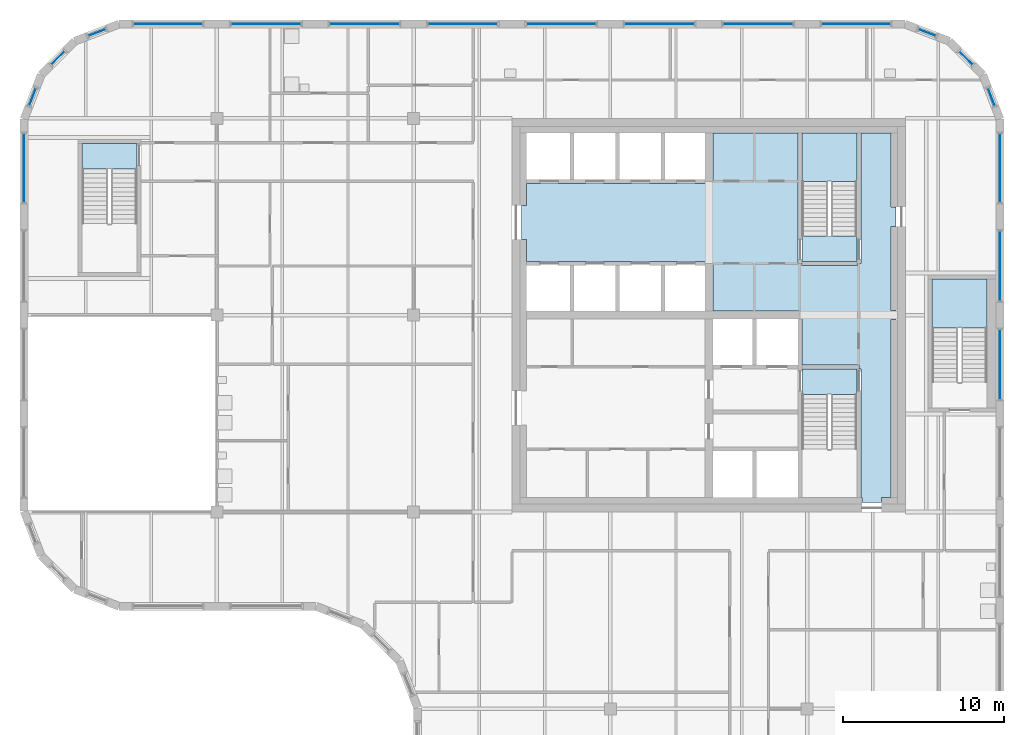
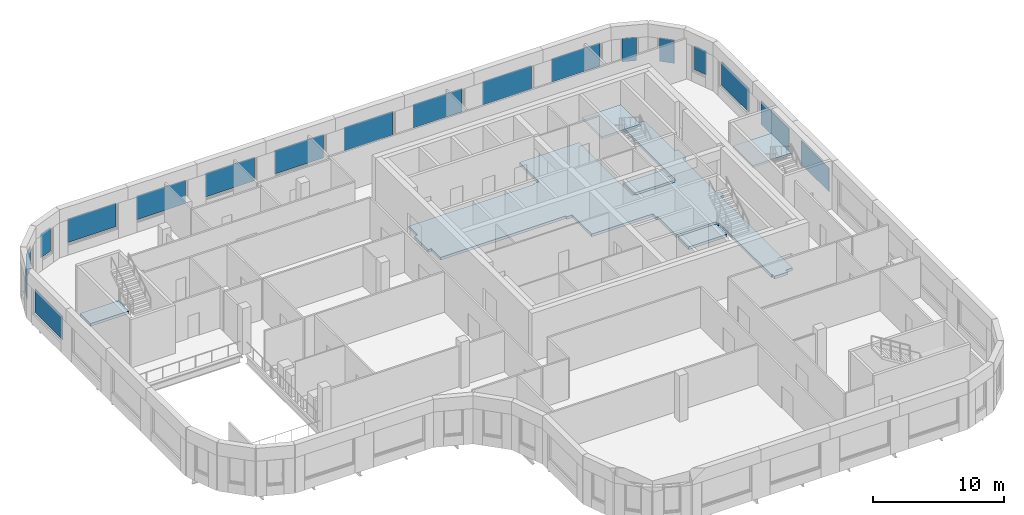
# One storey, part 9 of 21: 18 plates, 6 slabs, 20 elements without a shape of their own.
"""IFC4 building model written with IfcOpenShell, lengths in metres."""

from ifc_helpers import new_model, si_unit, direction, frame, origin, origin_2d, place, context, subcontext, project, spatial, polyline, rectangle, outline, extrude, material, layer, layer_set, type_object, element, aggregate, save


model = new_model("IFC4")

# Units and contexts
model_context = context("Model", 3, precision=1e-05, world=origin(), true_north=direction((0.0, 1.0)))
body_context = subcontext(model_context, "Body", "Model", "MODEL_VIEW")
ifc_project = project(units=[si_unit("LENGTHUNIT", "METRE"), si_unit("AREAUNIT", "SQUARE_METRE"), si_unit("VOLUMEUNIT", "CUBIC_METRE"), si_unit("PLANEANGLEUNIT", "RADIAN"), si_unit("MASSUNIT", "GRAM", prefix="KILO")], contexts=[model_context])

# Site, building, storey
site_placement = place(None, origin())
site = spatial("IfcSite", under=ifc_project, at=site_placement, CompositionType="ELEMENT")
building_placement = place(site_placement, origin())
building = spatial("IfcBuilding", under=site, at=building_placement, Name="Tessera Gate Towers", CompositionType="ELEMENT")
storey_placement = place(building_placement, frame((0.0, 0.0, 193.39990234375)))
storey = spatial("IfcBuildingStorey", under=building, at=storey_placement, Name="L48", CompositionType="ELEMENT", Elevation=193.39990234375)

# Slabs
ifc_material_1 = material(Name="Concrete C35/45", Category="concrete")
ifc_layer_1 = layer(ifc_material_1, 0.25)
ifc_layer_set_1 = layer_set([ifc_layer_1], Name="CORE FLOOR SLAB 250")
slab_type_1 = type_object("IfcSlabType", Name="CORE FLOOR SLAB 250", PredefinedType="FLOOR", material=ifc_layer_set_1)
slab_1_placement = place(storey_placement, frame((0.0, 0.0, -0.25)))
element("IfcSlab", 1, at=slab_1_placement, inside=storey, type_object=slab_type_1, Name="L48 core floor slab", PredefinedType="FLOOR", context=body_context, shape_type="SweptSolid", body=[
    extrude(outline(polyline([(42.449951171875, 44.89990234375), (42.449951171875, 44.77490234375), (31.39990234375, 44.77490234375), (31.39990234375, 43.39990234375), (31.10009765625, 43.39990234375), (31.10009765625, 41.300048828125), (31.39990234375, 41.300048828125), (31.39990234375, 39.925048828125), (42.449951171875, 39.925048828125), (42.449951171875, 39.800048828125), (42.949951171875, 39.800048828125), (42.949951171875, 36.85009765625), (48.35009765625, 36.85009765625), (48.35009765625, 36.35009765625), (48.47509765625, 36.35009765625), (48.47509765625, 33.52490234375), (52.0, 33.52490234375), (52.0, 33.27490234375), (52.125, 33.27490234375), (52.125, 25.300048828125), (52.199951171875, 25.300048828125), (52.199951171875, 25.0), (53.39990234375, 25.0), (53.39990234375, 25.300048828125), (54.0, 25.300048828125), (54.0, 36.320068359375), (54.300048828125, 36.320068359375), (54.300048828125, 36.8798828125), (54.0, 36.8798828125), (54.0, 42.10009765625), (54.300048828125, 42.10009765625), (54.300048828125, 43.300048828125), (54.0, 43.300048828125), (54.0, 47.89990234375), (52.125, 47.89990234375), (52.125, 39.800048828125), (51.875, 39.800048828125), (51.875, 39.675048828125), (48.47509765625, 39.675048828125), (48.47509765625, 39.800048828125), (48.22509765625, 39.800048828125), (48.22509765625, 47.89990234375), (42.949951171875, 47.89990234375), (42.949951171875, 44.89990234375), (42.449951171875, 44.89990234375)])), origin(), (0.0, 0.0, 1.0), 0.25),
])
slab_2_placement = place(storey_placement, frame((0.0, 0.0, -0.25)))
element("IfcSlab", 2, at=slab_2_placement, inside=storey, type_object=slab_type_1, Name="L48 core floor slab", PredefinedType="FLOOR", context=body_context, shape_type="SweptSolid", body=[
    extrude(outline(polyline([(51.875, 31.675048828125), (51.875, 33.27490234375), (48.47509765625, 33.27490234375), (48.47509765625, 31.675048828125), (51.875, 31.675048828125)])), origin(), (0.0, 0.0, 1.0), 0.25),
])
slab_3_placement = place(storey_placement, frame((0.0, 0.0, -0.25)))
element("IfcSlab", 3, at=slab_3_placement, inside=storey, type_object=slab_type_1, Name="L48 core floor slab", PredefinedType="FLOOR", context=body_context, shape_type="SweptSolid", body=[
    extrude(outline(polyline([(48.47509765625, 41.52490234375), (48.47509765625, 39.925048828125), (51.875, 39.925048828125), (51.875, 41.52490234375), (48.47509765625, 41.52490234375)])), origin(), (0.0, 0.0, 1.0), 0.25),
])
slab_4_placement = place(storey_placement, frame((0.0, 0.0, -0.25)))
element("IfcSlab", 4, at=slab_4_placement, inside=storey, type_object=slab_type_1, Name="L48 ST3 floor landing", PredefinedType="FLOOR", context=body_context, shape_type="SweptSolid", body=[
    extrude(outline(polyline([(3.85009765625, 47.25), (3.85009765625, 45.64990234375), (7.25, 45.64990234375), (7.25, 47.25), (3.85009765625, 47.25)])), origin(), (0.0, 0.0, 1.0), 0.25),
])

# Stair, slab
ifc_material_2 = material(Name="Concrete C40/50", Category="concrete")
stair_type_1 = type_object("IfcStairType", Name="EXIT STAIR ST2B 1600", PredefinedType="HALF_TURN_STAIR", material=ifc_material_2)
stair_1_placement = place(storey_placement, origin())
stair_1 = element("IfcStair", 5, at=stair_1_placement, inside=storey, type_object=stair_type_1, Name="L48 Protected Exit Stair ST2", PredefinedType="HALF_TURN_STAIR")
ifc_material_3 = material(Name="Concrete C40/50", Category="concrete")
ifc_layer_2 = layer(ifc_material_3, 0.199951171875)
ifc_layer_set_2 = layer_set([ifc_layer_2], Name="EXIT STAIR LANDING 200")
slab_type_2 = type_object("IfcSlabType", Name="EXIT STAIR LANDING 200", PredefinedType="LANDING", material=ifc_layer_set_2)
slab_5_placement = place(storey_placement, frame((0.0, 0.0, 2.050048828125)))
slab_5 = element("IfcSlab", 6, at=slab_5_placement, type_object=slab_type_2, Name="ST2 landing 1", PredefinedType="LANDING", context=body_context, shape_type="SweptSolid", body=[
    extrude(outline(polyline([(51.875, 44.885009765625), (51.875, 47.89990234375), (48.47509765625, 47.89990234375), (48.47509765625, 44.885009765625), (51.875, 44.885009765625)])), origin(), (0.0, 0.0, 1.0), 0.199951171875),
])
aggregate(stair_1, [slab_5])

ifc_material_4 = material(Name="Concrete C40/50", Category="concrete")
stair_type_2 = type_object("IfcStairType", Name="EXIT STAIR ST5B 1600", PredefinedType="HALF_TURN_STAIR", material=ifc_material_4)
stair_2_placement = place(storey_placement, origin())
stair_2 = element("IfcStair", 7, at=stair_2_placement, inside=storey, type_object=stair_type_2, Name="L48 East Exit Stair ST5", PredefinedType="HALF_TURN_STAIR")
slab_6_placement = place(storey_placement, frame((0.0, 0.0, 2.050048828125)))
slab_6 = element("IfcSlab", 8, at=slab_6_placement, type_object=slab_type_2, Name="ST5 landing 1", PredefinedType="LANDING", context=body_context, shape_type="SweptSolid", body=[
    extrude(outline(polyline([(59.949951171875, 35.81005859375), (59.949951171875, 38.85009765625), (56.550048828125, 38.85009765625), (56.550048828125, 35.81005859375), (59.949951171875, 35.81005859375)])), origin(), (0.0, 0.0, 1.0), 0.199951171875),
])
aggregate(stair_2, [slab_6])

# Curtain wall, plate
ifc_material_5 = material(Name="Aluminium frame", Category="aluminium")
curtain_wall_type = type_object("IfcCurtainWallType", Name="CW-S3 amenity floor glazing", PredefinedType="NOTDEFINED", material=ifc_material_5)
curtain_wall_1_placement = place(storey_placement, origin())
curtain_wall_1 = element("IfcCurtainWall", 9, at=curtain_wall_1_placement, inside=storey, type_object=curtain_wall_type, Name="Curtain wall amenity floor glazing 0056", PredefinedType="NOTDEFINED")
ifc_material_6 = material(Name="Low-e laminated glass", Category="glass")
ifc_layer_3 = layer(ifc_material_6, 0.035888671875)
ifc_layer_set_3 = layer_set([ifc_layer_3], Name="PN-S3 glass panel 36")
plate_type = type_object("IfcPlateType", Name="PN-S3 glass panel 36", PredefinedType="CURTAIN_PANEL", material=ifc_layer_set_3)
plate_1_placement = place(storey_placement, frame((60.75, 33.550048828125, 1.0), z_axis=(0.0, 0.0, 1.0), x_axis=(0.0, 1.0, 0.0)))
plate_1 = element("IfcPlate", 10, at=plate_1_placement, type_object=plate_type, Name="T1-CW3-0056 panel 1.1", PredefinedType="CURTAIN_PANEL", context=body_context, shape_type="SweptSolid", body=[
    extrude(rectangle(XDim=4.300048828125, YDim=0.035888671875, at=origin_2d()), origin(), (0.0, 0.0, 1.0), 2.199951171875),
])
aggregate(curtain_wall_1, [plate_1])

curtain_wall_2_placement = place(storey_placement, origin())
curtain_wall_2 = element("IfcCurtainWall", 11, at=curtain_wall_2_placement, inside=storey, type_object=curtain_wall_type, Name="Curtain wall amenity floor glazing 0057", PredefinedType="NOTDEFINED")
plate_2_placement = place(storey_placement, frame((60.75, 39.64990234375, 1.0), z_axis=(0.0, 0.0, 1.0), x_axis=(0.0, 1.0, 0.0)))
plate_2 = element("IfcPlate", 12, at=plate_2_placement, type_object=plate_type, Name="T1-CW3-0057 panel 1.1", PredefinedType="CURTAIN_PANEL", context=body_context, shape_type="SweptSolid", body=[
    extrude(rectangle(XDim=4.300048828125, YDim=0.035888671875, at=origin_2d()), origin(), (0.0, 0.0, 1.0), 2.199951171875),
])
aggregate(curtain_wall_2, [plate_2])

curtain_wall_3_placement = place(storey_placement, origin())
curtain_wall_3 = element("IfcCurtainWall", 13, at=curtain_wall_3_placement, inside=storey, type_object=curtain_wall_type, Name="Curtain wall amenity floor glazing 0058", PredefinedType="NOTDEFINED")
plate_3_placement = place(storey_placement, frame((60.75, 45.726806640625, 1.0), z_axis=(0.0, 0.0, 1.0), x_axis=(0.0, 1.0, 0.0)))
plate_3 = element("IfcPlate", 14, at=plate_3_placement, type_object=plate_type, Name="T1-CW3-0058 panel 1.1", PredefinedType="CURTAIN_PANEL", context=body_context, shape_type="SweptSolid", body=[
    extrude(rectangle(XDim=4.25341796875, YDim=0.035888671875, at=origin_2d()), origin(), (0.0, 0.0, 1.0), 2.199951171875),
])
aggregate(curtain_wall_3, [plate_3])

curtain_wall_4_placement = place(storey_placement, origin())
curtain_wall_4 = element("IfcCurtainWall", 15, at=curtain_wall_4_placement, inside=storey, type_object=curtain_wall_type, Name="Curtain wall amenity floor glazing 0059", PredefinedType="NOTDEFINED")
plate_4_placement = place(storey_placement, frame((60.218994140625, 50.1298828125, 1.0), z_axis=(0.0, 0.0, 1.0), x_axis=(-0.359904070394, 0.932989314041, 0.0)))
plate_4 = element("IfcPlate", 16, at=plate_4_placement, type_object=plate_type, Name="T1-CW3-0059 panel 1.1", PredefinedType="CURTAIN_PANEL", context=body_context, shape_type="SweptSolid", body=[
    extrude(rectangle(XDim=1.150634765625, YDim=0.035888671875, at=origin_2d()), origin(), (0.0, 0.0, 1.0), 2.199951171875),
])
aggregate(curtain_wall_4, [plate_4])

curtain_wall_5_placement = place(storey_placement, origin())
curtain_wall_5 = element("IfcCurtainWall", 17, at=curtain_wall_5_placement, inside=storey, type_object=curtain_wall_type, Name="Curtain wall amenity floor glazing 0060", PredefinedType="NOTDEFINED")
plate_5_placement = place(storey_placement, frame((58.647216796875, 52.547119140625, 1.0), z_axis=(0.0, 0.0, 1.0), x_axis=(-0.707106781187, 0.707106781187, 0.0)))
plate_5 = element("IfcPlate", 18, at=plate_5_placement, type_object=plate_type, Name="T1-CW3-0060 panel 1.1", PredefinedType="CURTAIN_PANEL", context=body_context, shape_type="SweptSolid", body=[
    extrude(rectangle(XDim=1.14404296875, YDim=0.035888671875, at=origin_2d()), origin(), (0.0, 0.0, 1.0), 2.199951171875),
])
aggregate(curtain_wall_5, [plate_5])

curtain_wall_6_placement = place(storey_placement, origin())
curtain_wall_6 = element("IfcCurtainWall", 19, at=curtain_wall_6_placement, inside=storey, type_object=curtain_wall_type, Name="Curtain wall amenity floor glazing 0061", PredefinedType="NOTDEFINED")
plate_6_placement = place(storey_placement, frame((56.22998046875, 54.119140625, 1.0), z_axis=(0.0, 0.0, 1.0), x_axis=(-0.932989314041, 0.359904070394, 0.0)))
plate_6 = element("IfcPlate", 20, at=plate_6_placement, type_object=plate_type, Name="T1-CW3-0061 panel 1.1", PredefinedType="CURTAIN_PANEL", context=body_context, shape_type="SweptSolid", body=[
    extrude(rectangle(XDim=1.150634765625, YDim=0.035888671875, at=origin_2d()), origin(), (0.0, 0.0, 1.0), 2.199951171875),
])
aggregate(curtain_wall_6, [plate_6])

curtain_wall_7_placement = place(storey_placement, origin())
curtain_wall_7 = element("IfcCurtainWall", 21, at=curtain_wall_7_placement, inside=storey, type_object=curtain_wall_type, Name="Curtain wall amenity floor glazing 0062", PredefinedType="NOTDEFINED")
plate_7_placement = place(storey_placement, frame((51.82666015625, 54.64990234375, 1.0), z_axis=(0.0, 0.0, 1.0), x_axis=(-1.0, 0.0, 0.0)))
plate_7 = element("IfcPlate", 22, at=plate_7_placement, type_object=plate_type, Name="T1-CW3-0062 panel 1.1", PredefinedType="CURTAIN_PANEL", context=body_context, shape_type="SweptSolid", body=[
    extrude(rectangle(XDim=4.25341796875, YDim=0.035888671875, at=origin_2d()), origin(), (0.0, 0.0, 1.0), 2.199951171875),
])
aggregate(curtain_wall_7, [plate_7])

curtain_wall_8_placement = place(storey_placement, origin())
curtain_wall_8 = element("IfcCurtainWall", 23, at=curtain_wall_8_placement, inside=storey, type_object=curtain_wall_type, Name="Curtain wall amenity floor glazing 0063", PredefinedType="NOTDEFINED")
plate_8_placement = place(storey_placement, frame((45.75, 54.64990234375, 1.0), z_axis=(0.0, 0.0, 1.0), x_axis=(-1.0, 0.0, 0.0)))
plate_8 = element("IfcPlate", 24, at=plate_8_placement, type_object=plate_type, Name="T1-CW3-0063 panel 1.1", PredefinedType="CURTAIN_PANEL", context=body_context, shape_type="SweptSolid", body=[
    extrude(rectangle(XDim=4.300048828125, YDim=0.035888671875, at=origin_2d()), origin(), (0.0, 0.0, 1.0), 2.199951171875),
])
aggregate(curtain_wall_8, [plate_8])

curtain_wall_9_placement = place(storey_placement, origin())
curtain_wall_9 = element("IfcCurtainWall", 25, at=curtain_wall_9_placement, inside=storey, type_object=curtain_wall_type, Name="Curtain wall amenity floor glazing 0064", PredefinedType="NOTDEFINED")
plate_9_placement = place(storey_placement, frame((39.64990234375, 54.64990234375, 1.0), z_axis=(0.0, 0.0, 1.0), x_axis=(-1.0, 0.0, 0.0)))
plate_9 = element("IfcPlate", 26, at=plate_9_placement, type_object=plate_type, Name="T1-CW3-0064 panel 1.1", PredefinedType="CURTAIN_PANEL", context=body_context, shape_type="SweptSolid", body=[
    extrude(rectangle(XDim=4.300048828125, YDim=0.035888671875, at=origin_2d()), origin(), (0.0, 0.0, 1.0), 2.199951171875),
])
aggregate(curtain_wall_9, [plate_9])

curtain_wall_10_placement = place(storey_placement, origin())
curtain_wall_10 = element("IfcCurtainWall", 27, at=curtain_wall_10_placement, inside=storey, type_object=curtain_wall_type, Name="Curtain wall amenity floor glazing 0065", PredefinedType="NOTDEFINED")
plate_10_placement = place(storey_placement, frame((33.550048828125, 54.64990234375, 1.0), z_axis=(0.0, 0.0, 1.0), x_axis=(-1.0, 0.0, 0.0)))
plate_10 = element("IfcPlate", 28, at=plate_10_placement, type_object=plate_type, Name="T1-CW3-0065 panel 1.1", PredefinedType="CURTAIN_PANEL", context=body_context, shape_type="SweptSolid", body=[
    extrude(rectangle(XDim=4.300048828125, YDim=0.035888671875, at=origin_2d()), origin(), (0.0, 0.0, 1.0), 2.199951171875),
])
aggregate(curtain_wall_10, [plate_10])

curtain_wall_11_placement = place(storey_placement, origin())
curtain_wall_11 = element("IfcCurtainWall", 29, at=curtain_wall_11_placement, inside=storey, type_object=curtain_wall_type, Name="Curtain wall amenity floor glazing 0066", PredefinedType="NOTDEFINED")
plate_11_placement = place(storey_placement, frame((27.449951171875, 54.64990234375, 1.0), z_axis=(0.0, 0.0, 1.0), x_axis=(-1.0, 0.0, 0.0)))
plate_11 = element("IfcPlate", 30, at=plate_11_placement, type_object=plate_type, Name="T1-CW3-0066 panel 1.1", PredefinedType="CURTAIN_PANEL", context=body_context, shape_type="SweptSolid", body=[
    extrude(rectangle(XDim=4.300048828125, YDim=0.035888671875, at=origin_2d()), origin(), (0.0, 0.0, 1.0), 2.199951171875),
])
aggregate(curtain_wall_11, [plate_11])

curtain_wall_12_placement = place(storey_placement, origin())
curtain_wall_12 = element("IfcCurtainWall", 31, at=curtain_wall_12_placement, inside=storey, type_object=curtain_wall_type, Name="Curtain wall amenity floor glazing 0067", PredefinedType="NOTDEFINED")
plate_12_placement = place(storey_placement, frame((21.35009765625, 54.64990234375, 1.0), z_axis=(0.0, 0.0, 1.0), x_axis=(-1.0, 0.0, 0.0)))
plate_12 = element("IfcPlate", 32, at=plate_12_placement, type_object=plate_type, Name="T1-CW3-0067 panel 1.1", PredefinedType="CURTAIN_PANEL", context=body_context, shape_type="SweptSolid", body=[
    extrude(rectangle(XDim=4.300048828125, YDim=0.035888671875, at=origin_2d()), origin(), (0.0, 0.0, 1.0), 2.199951171875),
])
aggregate(curtain_wall_12, [plate_12])

curtain_wall_13_placement = place(storey_placement, origin())
curtain_wall_13 = element("IfcCurtainWall", 33, at=curtain_wall_13_placement, inside=storey, type_object=curtain_wall_type, Name="Curtain wall amenity floor glazing 0068", PredefinedType="NOTDEFINED")
plate_13_placement = place(storey_placement, frame((15.25, 54.64990234375, 1.0), z_axis=(0.0, 0.0, 1.0), x_axis=(-1.0, 0.0, 0.0)))
plate_13 = element("IfcPlate", 34, at=plate_13_placement, type_object=plate_type, Name="T1-CW3-0068 panel 1.1", PredefinedType="CURTAIN_PANEL", context=body_context, shape_type="SweptSolid", body=[
    extrude(rectangle(XDim=4.300048828125, YDim=0.035888671875, at=origin_2d()), origin(), (0.0, 0.0, 1.0), 2.199951171875),
])
aggregate(curtain_wall_13, [plate_13])

curtain_wall_14_placement = place(storey_placement, origin())
curtain_wall_14 = element("IfcCurtainWall", 35, at=curtain_wall_14_placement, inside=storey, type_object=curtain_wall_type, Name="Curtain wall amenity floor glazing 0069", PredefinedType="NOTDEFINED")
plate_14_placement = place(storey_placement, frame((9.17333984375, 54.64990234375, 1.0), z_axis=(0.0, 0.0, 1.0), x_axis=(-1.0, 0.0, 0.0)))
plate_14 = element("IfcPlate", 36, at=plate_14_placement, type_object=plate_type, Name="T1-CW3-0069 panel 1.1", PredefinedType="CURTAIN_PANEL", context=body_context, shape_type="SweptSolid", body=[
    extrude(rectangle(XDim=4.25341796875, YDim=0.035888671875, at=origin_2d()), origin(), (0.0, 0.0, 1.0), 2.199951171875),
])
aggregate(curtain_wall_14, [plate_14])

curtain_wall_15_placement = place(storey_placement, origin())
curtain_wall_15 = element("IfcCurtainWall", 37, at=curtain_wall_15_placement, inside=storey, type_object=curtain_wall_type, Name="Curtain wall amenity floor glazing 0070", PredefinedType="NOTDEFINED")
plate_15_placement = place(storey_placement, frame((4.77001953125, 54.119140625, 1.0), z_axis=(0.0, 0.0, 1.0), x_axis=(-0.932989314041, -0.359904070394, 0.0)))
plate_15 = element("IfcPlate", 38, at=plate_15_placement, type_object=plate_type, Name="T1-CW3-0070 panel 1.1", PredefinedType="CURTAIN_PANEL", context=body_context, shape_type="SweptSolid", body=[
    extrude(rectangle(XDim=1.150634765625, YDim=0.035888671875, at=origin_2d()), origin(), (0.0, 0.0, 1.0), 2.199951171875),
])
aggregate(curtain_wall_15, [plate_15])

curtain_wall_16_placement = place(storey_placement, origin())
curtain_wall_16 = element("IfcCurtainWall", 39, at=curtain_wall_16_placement, inside=storey, type_object=curtain_wall_type, Name="Curtain wall amenity floor glazing 0071", PredefinedType="NOTDEFINED")
plate_16_placement = place(storey_placement, frame((2.352783203125, 52.547119140625, 1.0), z_axis=(0.0, 0.0, 1.0), x_axis=(-0.707106781187, -0.707106781187, 0.0)))
plate_16 = element("IfcPlate", 40, at=plate_16_placement, type_object=plate_type, Name="T1-CW3-0071 panel 1.1", PredefinedType="CURTAIN_PANEL", context=body_context, shape_type="SweptSolid", body=[
    extrude(rectangle(XDim=1.14404296875, YDim=0.035888671875, at=origin_2d()), origin(), (0.0, 0.0, 1.0), 2.199951171875),
])
aggregate(curtain_wall_16, [plate_16])

curtain_wall_17_placement = place(storey_placement, origin())
curtain_wall_17 = element("IfcCurtainWall", 41, at=curtain_wall_17_placement, inside=storey, type_object=curtain_wall_type, Name="Curtain wall amenity floor glazing 0072", PredefinedType="NOTDEFINED")
plate_17_placement = place(storey_placement, frame((0.781005859375, 50.1298828125, 1.0), z_axis=(0.0, 0.0, 1.0), x_axis=(-0.359904070394, -0.932989314041, 0.0)))
plate_17 = element("IfcPlate", 42, at=plate_17_placement, type_object=plate_type, Name="T1-CW3-0072 panel 1.1", PredefinedType="CURTAIN_PANEL", context=body_context, shape_type="SweptSolid", body=[
    extrude(rectangle(XDim=1.150634765625, YDim=0.035888671875, at=origin_2d()), origin(), (0.0, 0.0, 1.0), 2.199951171875),
])
aggregate(curtain_wall_17, [plate_17])

curtain_wall_18_placement = place(storey_placement, origin())
curtain_wall_18 = element("IfcCurtainWall", 43, at=curtain_wall_18_placement, inside=storey, type_object=curtain_wall_type, Name="Curtain wall amenity floor glazing 0073", PredefinedType="NOTDEFINED")
plate_18_placement = place(storey_placement, frame((0.25, 45.726806640625, 1.0), z_axis=(0.0, 0.0, 1.0), x_axis=(0.0, -1.0, 0.0)))
plate_18 = element("IfcPlate", 44, at=plate_18_placement, type_object=plate_type, Name="T1-CW3-0073 panel 1.1", PredefinedType="CURTAIN_PANEL", context=body_context, shape_type="SweptSolid", body=[
    extrude(rectangle(XDim=4.25341796875, YDim=0.035888671875, at=origin_2d()), origin(), (0.0, 0.0, 1.0), 2.199951171875),
])
aggregate(curtain_wall_18, [plate_18])

save(model, "model.ifc")
